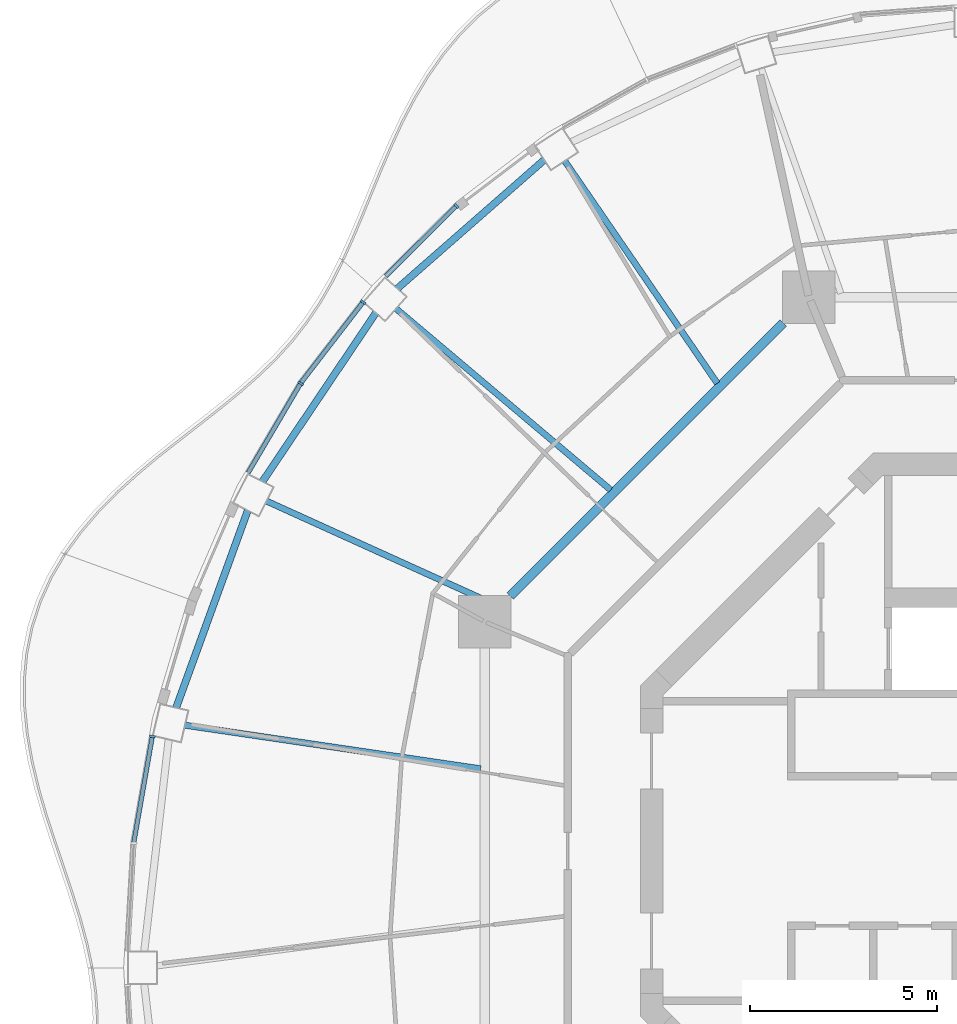
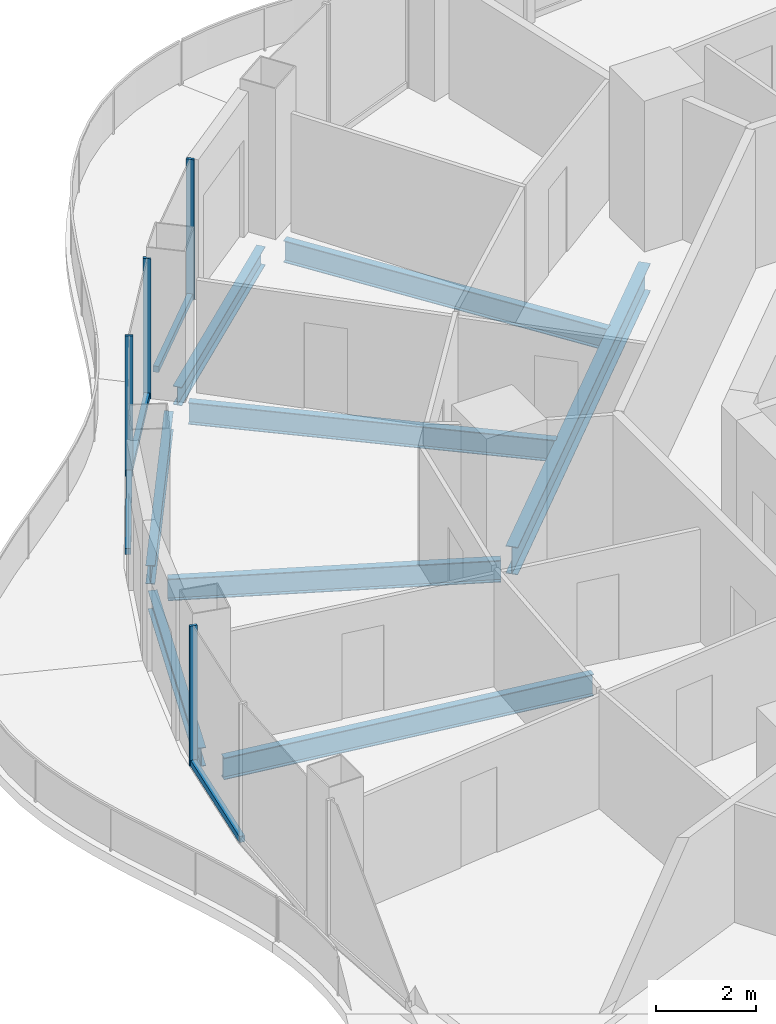
# One storey, part 5 of 17: 8 beams, 8 members, 4 elements without a shape of their own.
"""IFC4 building model written with IfcOpenShell, lengths in metres."""

from ifc_helpers import new_model, si_unit, direction, frame, origin, origin_2d, place, context, subcontext, project, spatial, rectangle, i_section, extrude, material, layer, layer_set, material_profile, profile_set, type_object, element, aggregate, save


model = new_model("IFC4")

# Units and contexts
model_context = context("Model", 3, precision=1e-05, world=origin(), true_north=direction((0.0, 1.0)))
body_context = subcontext(model_context, "Body", "Model", "MODEL_VIEW")
ifc_project = project(units=[si_unit("LENGTHUNIT", "METRE"), si_unit("AREAUNIT", "SQUARE_METRE"), si_unit("VOLUMEUNIT", "CUBIC_METRE"), si_unit("PLANEANGLEUNIT", "RADIAN"), si_unit("MASSUNIT", "GRAM", prefix="KILO")], contexts=[model_context])

# Site, building, storey
site_placement = place(None, origin())
site = spatial("IfcSite", under=ifc_project, at=site_placement, CompositionType="ELEMENT")
building_placement = place(site_placement, origin())
building = spatial("IfcBuilding", under=site, at=building_placement, Name="Nagisa Residences", CompositionType="ELEMENT")
storey_placement = place(building_placement, frame((0.0, 0.0, 288.10009765625)))
storey = spatial("IfcBuildingStorey", under=building, at=storey_placement, Name="L73", CompositionType="ELEMENT", Elevation=288.10009765625)

# Curtain wall, member
ifc_material_1 = material(Name="Concrete-coloured aluminium curtain wall system", Category="concrete")
ifc_layer = layer(ifc_material_1, 0.159912109375)
ifc_layer_set = layer_set([ifc_layer], Name="CW1 CURTAIN WALL")
curtain_wall_type = type_object("IfcCurtainWallType", Name="CW1 CURTAIN WALL", PredefinedType="NOTDEFINED", material=ifc_layer_set)
curtain_wall_1_placement = place(storey_placement, origin())
curtain_wall_1 = element("IfcCurtainWall", 1, at=curtain_wall_1_placement, inside=storey, type_object=curtain_wall_type, Name="cw:CW1:L73:17", PredefinedType="NOTDEFINED")
ifc_material_2 = material(Name="Concrete-coloured aluminium", Category="concrete")
ifc_material_profile_1 = material_profile(ifc_material_2, rectangle(XDim=0.159912109375, YDim=0.06005859375, at=origin_2d()), Name="CW1 MULLION 160x60")
ifc_profile_set_1 = profile_set([ifc_material_profile_1], Name="Concrete-coloured aluminium")
member_type_1 = type_object("IfcMemberType", Name="CW1 MULLION 160x60", PredefinedType="MULLION", material=ifc_profile_set_1)
member_1_placement = place(storey_placement, frame((-15.534912109375, 17.225341796875, 0.0), z_axis=(0.0, 0.0, 1.0), x_axis=(0.706376885714, -0.707835924016, 0.0)))
member_1 = element("IfcMember", 2, at=member_1_placement, type_object=member_type_1, Name="CW1 mullion", PredefinedType="MULLION", context=body_context, shape_type="SweptSolid", body=[
    extrude(rectangle(XDim=0.159912109375, YDim=0.06005859375, at=origin_2d()), origin(), (0.0, 0.0, 1.0), 3.43994140625),
])

curtain_wall_2_placement = place(storey_placement, origin())
curtain_wall_2 = element("IfcCurtainWall", 3, at=curtain_wall_2_placement, inside=storey, type_object=curtain_wall_type, Name="cw:CW1:L73:18", PredefinedType="NOTDEFINED")
member_2_placement = place(storey_placement, frame((-18.0244140625, 14.654296875, 0.0), z_axis=(0.0, 0.0, 1.0), x_axis=(0.792070340816, -0.610429828235, 0.0)))
member_2 = element("IfcMember", 4, at=member_2_placement, type_object=member_type_1, Name="CW1 mullion", PredefinedType="MULLION", context=body_context, shape_type="SweptSolid", body=[
    extrude(rectangle(XDim=0.159912109375, YDim=0.06005859375, at=origin_2d()), origin(), (0.0, 0.0, 1.0), 3.43994140625),
])

curtain_wall_3_placement = place(storey_placement, origin())
curtain_wall_3 = element("IfcCurtainWall", 5, at=curtain_wall_3_placement, inside=storey, type_object=curtain_wall_type, Name="cw:CW1:L73:19", PredefinedType="NOTDEFINED")
member_3_placement = place(storey_placement, frame((-19.69189453125, 12.4853515625, 0.0), z_axis=(0.0, 0.0, 1.0), x_axis=(0.862328898214, -0.506348567002, 0.0)))
member_3 = element("IfcMember", 6, at=member_3_placement, type_object=member_type_1, Name="CW1 mullion", PredefinedType="MULLION", context=body_context, shape_type="SweptSolid", body=[
    extrude(rectangle(XDim=0.159912109375, YDim=0.06005859375, at=origin_2d()), origin(), (0.0, 0.0, 1.0), 3.43994140625),
])

curtain_wall_4_placement = place(storey_placement, origin())
curtain_wall_4 = element("IfcCurtainWall", 7, at=curtain_wall_4_placement, inside=storey, type_object=curtain_wall_type, Name="cw:CW1:L73:22", PredefinedType="NOTDEFINED")
member_4_placement = place(storey_placement, frame((-23.653076171875, 3.0576171875, 0.0), z_axis=(0.0, 0.0, 1.0), x_axis=(0.985063604377, -0.172190868898, 0.0)))
member_4 = element("IfcMember", 8, at=member_4_placement, type_object=member_type_1, Name="CW1 mullion", PredefinedType="MULLION", context=body_context, shape_type="SweptSolid", body=[
    extrude(rectangle(XDim=0.159912109375, YDim=0.06005859375, at=origin_2d()), origin(), (0.0, 0.0, 1.0), 3.43994140625),
])

# Member
ifc_material_3 = material(Name="Concrete-coloured aluminium", Category="concrete")
ifc_material_profile_2 = material_profile(ifc_material_3, rectangle(XDim=0.1201171875, YDim=0.14990234375, at=origin_2d()), Name="CW1 TRANSOM 120x150")
ifc_profile_set_2 = profile_set([ifc_material_profile_2], Name="Concrete-coloured aluminium")
member_type_2 = type_object("IfcMemberType", Name="CW1 TRANSOM 120x150", PredefinedType="USERDEFINED", material=ifc_profile_set_2)
member_5_placement = place(storey_placement, frame((-15.513671875, 17.24658203125, 0.074951171875), z_axis=(-0.707831739508, -0.706381078841, 0.0), x_axis=(0.706381078841, -0.707831739508, 0.0)))
member_5 = element("IfcMember", 9, at=member_5_placement, type_object=member_type_2, Name="CW1 transom", ObjectType="TRANSOM", PredefinedType="USERDEFINED", context=body_context, shape_type="SweptSolid", body=[
    extrude(rectangle(XDim=0.1201171875, YDim=0.14990234375, at=origin_2d()), origin(), (0.0, 0.0, 1.0), 2.692626953125),
])

aggregate(curtain_wall_1, [member_1, member_5])

member_6_placement = place(storey_placement, frame((-18.006103515625, 14.677978515625, 0.074951171875), z_axis=(-0.610432336622, -0.792068407656, 0.0), x_axis=(0.792068407656, -0.610432336622, 0.0)))
member_6 = element("IfcMember", 10, at=member_6_placement, type_object=member_type_2, Name="CW1 transom", ObjectType="TRANSOM", PredefinedType="USERDEFINED", context=body_context, shape_type="SweptSolid", body=[
    extrude(rectangle(XDim=0.1201171875, YDim=0.14990234375, at=origin_2d()), origin(), (0.0, 0.0, 1.0), 2.74609375),
])

aggregate(curtain_wall_2, [member_2, member_6])

member_7_placement = place(storey_placement, frame((-19.6767578125, 12.51123046875, 0.074951171875), z_axis=(-0.506371364425, -0.862315511452, 0.0), x_axis=(0.862315511452, -0.506371364425, 0.0)))
member_7 = element("IfcMember", 11, at=member_7_placement, type_object=member_type_2, Name="CW1 transom", ObjectType="TRANSOM", PredefinedType="USERDEFINED", context=body_context, shape_type="SweptSolid", body=[
    extrude(rectangle(XDim=0.1201171875, YDim=0.14990234375, at=origin_2d()), origin(), (0.0, 0.0, 1.0), 2.79638671875),
])

aggregate(curtain_wall_3, [member_3, member_7])

member_8_placement = place(storey_placement, frame((-23.64794921875, 3.087158203125, 0.074951171875), z_axis=(-0.172196679668, -0.985062588626, 0.0), x_axis=(0.985062588626, -0.172196679668, 0.0)))
member_8 = element("IfcMember", 12, at=member_8_placement, type_object=member_type_2, Name="CW1 transom", ObjectType="TRANSOM", PredefinedType="USERDEFINED", context=body_context, shape_type="SweptSolid", body=[
    extrude(rectangle(XDim=0.1201171875, YDim=0.14990234375, at=origin_2d()), origin(), (0.0, 0.0, 1.0), 2.90234375),
])

aggregate(curtain_wall_4, [member_4, member_8])

# Beams
ifc_material_4 = material(Name="Steel ASTM A572 Gr 50", Category="steel")
ifc_material_profile_3 = material_profile(ifc_material_4, i_section(OverallWidth=0.2529296875, OverallDepth=0.677978515625, WebThickness=0.01171875, FlangeThickness=0.016357421875, at=origin_2d()), Name="W690x125")
ifc_profile_set_3 = profile_set([ifc_material_profile_3], Name="Steel ASTM A572 Gr 50")
beam_type_1 = type_object("IfcBeamType", Name="Inner ring beam W690x125", PredefinedType="BEAM", material=ifc_profile_set_3)
beam_1_placement = place(storey_placement, frame((-6.808837890625, 14.09619140625, -0.59912109375), z_axis=(-0.707106781187, -0.707106781187, 0.0), x_axis=(0.707106781187, -0.707106781187, 0.0)))
element("IfcBeam", 13, at=beam_1_placement, inside=storey, type_object=beam_type_1, Name="beam:L73:ib3", PredefinedType="BEAM", context=body_context, shape_type="SweptSolid", body=[
    extrude(i_section(OverallWidth=0.2529296875, OverallDepth=0.677978515625, WebThickness=0.01171875, FlangeThickness=0.016357421875, at=origin_2d()), origin(), (0.0, 0.0, 1.0), 10.305908203125),
])
ifc_material_5 = material(Name="Steel ASTM A572 Gr 50", Category="steel")
ifc_material_profile_4 = material_profile(ifc_material_5, i_section(OverallWidth=0.18994140625, OverallDepth=0.45703125, WebThickness=0.009033203125, FlangeThickness=0.014404296875, at=origin_2d()), Name="W460x74")
ifc_profile_set_4 = profile_set([ifc_material_profile_4], Name="Steel ASTM A572 Gr 50")
beam_type_2 = type_object("IfcBeamType", Name="Perimeter ring beam W460x74", PredefinedType="BEAM", material=ifc_profile_set_4)
beam_2_placement = place(storey_placement, frame((-13.186767578125, 18.45458984375, -0.488525390625), z_axis=(-0.752365189148, -0.658746250204, 0.0), x_axis=(0.658746250204, -0.752365189148, 0.0)))
element("IfcBeam", 14, at=beam_2_placement, inside=storey, type_object=beam_type_2, Name="beam:L73:pb09", PredefinedType="BEAM", context=body_context, shape_type="SweptSolid", body=[
    extrude(i_section(OverallWidth=0.18994140625, OverallDepth=0.45703125, WebThickness=0.009033203125, FlangeThickness=0.014404296875, at=origin_2d()), origin(), (0.0, 0.0, 1.0), 5.220947265625),
])
beam_3_placement = place(storey_placement, frame((-17.683349609375, 14.36962890625, -0.488525390625), z_axis=(-0.558035477156, -0.829817092036, 0.0), x_axis=(0.829817092036, -0.558035477156, 0.0)))
element("IfcBeam", 15, at=beam_3_placement, inside=storey, type_object=beam_type_2, Name="beam:L73:pb10", PredefinedType="BEAM", context=body_context, shape_type="SweptSolid", body=[
    extrude(i_section(OverallWidth=0.18994140625, OverallDepth=0.45703125, WebThickness=0.009033203125, FlangeThickness=0.014404296875, at=origin_2d()), origin(), (0.0, 0.0, 1.0), 5.431884765625),
])
beam_4_placement = place(storey_placement, frame((-21.104248046875, 9.094970703125, -0.488525390625), z_axis=(-0.341250304478, -0.9399724622, 0.0), x_axis=(0.9399724622, -0.341250304478, 0.0)))
element("IfcBeam", 16, at=beam_4_placement, inside=storey, type_object=beam_type_2, Name="beam:L73:pb11", PredefinedType="BEAM", context=body_context, shape_type="SweptSolid", body=[
    extrude(i_section(OverallWidth=0.18994140625, OverallDepth=0.45703125, WebThickness=0.009033203125, FlangeThickness=0.014404296875, at=origin_2d()), origin(), (0.0, 0.0, 1.0), 5.609619140625),
])
ifc_material_6 = material(Name="Steel ASTM A572 Gr 50", Category="steel")
ifc_material_profile_5 = material_profile(ifc_material_6, i_section(OverallWidth=0.166015625, OverallDepth=0.534912109375, WebThickness=0.01025390625, FlangeThickness=0.0166015625, at=origin_2d()), Name="W530x85")
ifc_profile_set_5 = profile_set([ifc_material_profile_5], Name="Steel ASTM A572 Gr 50")
beam_type_3 = type_object("IfcBeamType", Name="Radial beam W530x85", PredefinedType="BEAM", material=ifc_profile_set_5)
beam_5_placement = place(storey_placement, frame((-12.64501953125, 18.427490234375, -0.527587890625), z_axis=(0.565802292405, -0.824540942531, 0.0), x_axis=(0.824540942531, 0.565802292405, 0.0)))
element("IfcBeam", 17, at=beam_5_placement, inside=storey, type_object=beam_type_3, Name="beam:L73:rb09", PredefinedType="BEAM", context=body_context, shape_type="SweptSolid", body=[
    extrude(i_section(OverallWidth=0.166015625, OverallDepth=0.534912109375, WebThickness=0.01025390625, FlangeThickness=0.0166015625, at=origin_2d()), origin(), (0.0, 0.0, 1.0), 7.204345703125),
])
beam_6_placement = place(storey_placement, frame((-17.15087890625, 14.484375, -0.527587890625), z_axis=(0.764006403763, -0.645208660054, 0.0), x_axis=(0.645208660054, 0.764006403763, 0.0)))
element("IfcBeam", 18, at=beam_6_placement, inside=storey, type_object=beam_type_3, Name="beam:L73:rb10", PredefinedType="BEAM", context=body_context, shape_type="SweptSolid", body=[
    extrude(i_section(OverallWidth=0.166015625, OverallDepth=0.534912109375, WebThickness=0.01025390625, FlangeThickness=0.0166015625, at=origin_2d()), origin(), (0.0, 0.0, 1.0), 7.50732421875),
])
beam_7_placement = place(storey_placement, frame((-20.610107421875, 9.34521484375, -0.527587890625), z_axis=(0.910751667619, -0.412954476824, 0.0), x_axis=(0.412954476824, 0.910751667619, 0.0)))
element("IfcBeam", 19, at=beam_7_placement, inside=storey, type_object=beam_type_3, Name="beam:L73:rb11", PredefinedType="BEAM", context=body_context, shape_type="SweptSolid", body=[
    extrude(i_section(OverallWidth=0.166015625, OverallDepth=0.534912109375, WebThickness=0.01025390625, FlangeThickness=0.0166015625, at=origin_2d()), origin(), (0.0, 0.0, 1.0), 6.721923828125),
])
beam_8_placement = place(storey_placement, frame((-22.788818359375, 3.359375, -0.527587890625), z_axis=(0.989309244243, -0.145832846968, 0.0), x_axis=(0.145832846968, 0.989309244243, 0.0)))
element("IfcBeam", 20, at=beam_8_placement, inside=storey, type_object=beam_type_3, Name="beam:L73:rb12", PredefinedType="BEAM", context=body_context, shape_type="SweptSolid", body=[
    extrude(i_section(OverallWidth=0.166015625, OverallDepth=0.534912109375, WebThickness=0.01025390625, FlangeThickness=0.0166015625, at=origin_2d()), origin(), (0.0, 0.0, 1.0), 7.985595703125),
])

save(model, "model.ifc")
